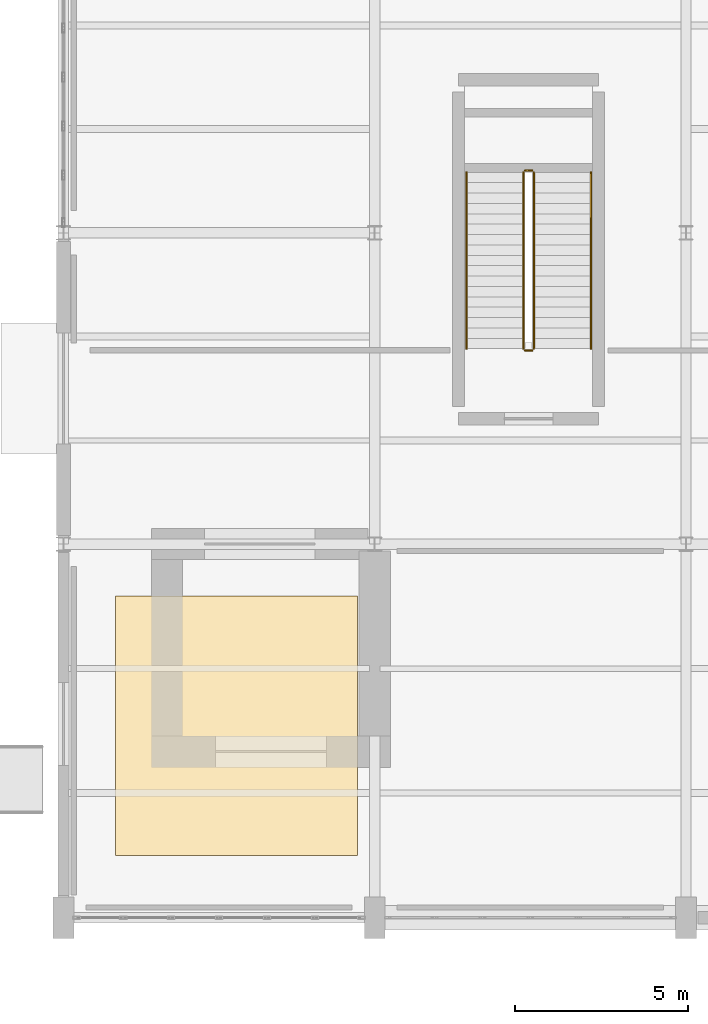
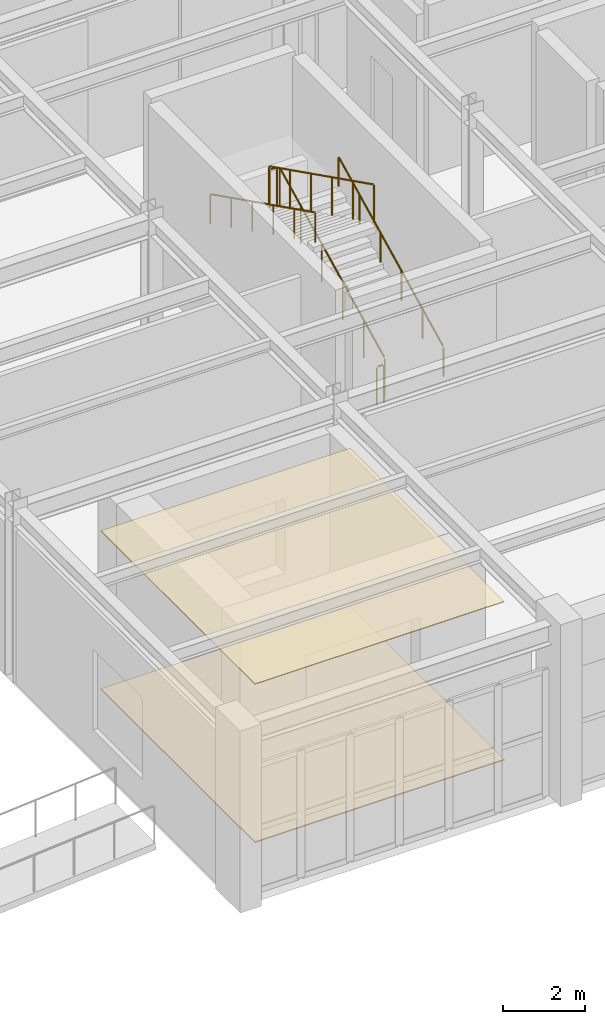
# One storey, part 129 of 140: 6 railings, 2 coverings.
"""IFC4 building model written with IfcOpenShell, lengths in metres."""

from ifc_helpers import new_model, si_unit, direction, frame, origin, origin_2d, place, context, subcontext, project, spatial, polyline, circle, outline, extrude, material, layer, layer_set, type_object, element, save


model = new_model("IFC4")

# Units and contexts
model_context = context("Model", 3, precision=1e-05, world=origin(), true_north=direction((0.0, 1.0)))
body_context = subcontext(model_context, "Body", "Model", "MODEL_VIEW")
ifc_project = project(units=[si_unit("LENGTHUNIT", "METRE"), si_unit("AREAUNIT", "SQUARE_METRE"), si_unit("VOLUMEUNIT", "CUBIC_METRE"), si_unit("PLANEANGLEUNIT", "RADIAN"), si_unit("MASSUNIT", "GRAM", prefix="KILO")], contexts=[model_context])

# Site, building, storey
site_placement = place(None, origin())
site = spatial("IfcSite", under=ifc_project, at=site_placement, CompositionType="ELEMENT")
building_placement = place(site_placement, origin())
building = spatial("IfcBuilding", under=site, at=building_placement, Name="Haizhuo Lancet Aquarium", CompositionType="ELEMENT")
storey_placement = place(building_placement, origin())
storey = spatial("IfcBuildingStorey", under=building, at=storey_placement, Name="L00", CompositionType="ELEMENT", Elevation=0.0)

# Coverings
ifc_material_1 = material(Name="Acoustic Mineral Fibre Board")
ifc_layer_1 = layer(ifc_material_1, 0.02490234375)
ifc_layer_set_1 = layer_set([ifc_layer_1], Name="Acoustic Mineral Fibre Board")
covering_type_1 = type_object("IfcCoveringType", Name="COV-CLG-ACU", PredefinedType="CEILING", material=ifc_layer_set_1)
covering_1_placement = place(storey_placement, frame((0.0, 0.0, 4.695068359375)))
element("IfcCovering", 1, at=covering_1_placement, inside=storey, type_object=covering_type_1, Name="L00 V4 acoustic suspended ceiling 3", PredefinedType="CEILING", context=body_context, shape_type="SweptSolid", body=[
    extrude(outline(polyline([(-16.5, -54.0), (-9.5, -54.0), (-9.5, -46.5), (-16.5, -46.5), (-16.5, -54.0)])), origin(), (0.0, 0.0, 1.0), 0.02490234375),
])
ifc_material_2 = material(Name="Shandong Grey Limestone Ashlar", Category="masonry")
ifc_layer_2 = layer(ifc_material_2, 0.030029296875)
ifc_layer_set_2 = layer_set([ifc_layer_2], Name="Shandong Grey Limestone Ashlar")
covering_type_2 = type_object("IfcCoveringType", Name="COV-FLR-STN", PredefinedType="FLOORING", material=ifc_layer_set_2)
covering_2_placement = place(storey_placement, origin())
element("IfcCovering", 2, at=covering_2_placement, inside=storey, type_object=covering_type_2, Name="L00 V4 limestone floor finish 3", PredefinedType="FLOORING", context=body_context, shape_type="SweptSolid", body=[
    extrude(outline(polyline([(-16.5, -54.0), (-9.5, -54.0), (-9.5, -46.5), (-16.5, -46.5), (-16.5, -54.0)])), origin(), (0.0, 0.0, 1.0), 0.030029296875),
])

# Railings
ifc_material_3 = material(Name="Steel S355", Category="steel")
railing_type_1 = type_object("IfcRailingType", Name="RL-GRD-1150", PredefinedType="GUARDRAIL", material=ifc_material_3)
railing_1_placement = place(storey_placement, frame((-4.39990234375, -39.35009765625, 0.14990234375)))
element("IfcRailing", 3, at=railing_1_placement, inside=storey, type_object=railing_type_1, Name="L00 ST-06 stair guard 1", PredefinedType="GUARDRAIL", context=body_context, shape_type="SweptSolid", body=[
    extrude(circle(Radius=0.02392578125, at=origin_2d()), frame((0.0, 0.02685546875, 1.13916015625), z_axis=(0.0, 0.894427191, 0.4472135955), x_axis=(-1.0, 0.0, 0.0)), (0.0, 0.0, 1.0), 5.64208984375),
    extrude(circle(Radius=0.02099609375, at=origin_2d()), origin(), (0.0, 0.0, 1.0), 1.097900390625),
    extrude(circle(Radius=0.02099609375, at=origin_2d()), frame((0.0, 1.02001953125, 0.510009765625)), (0.0, 0.0, 1.0), 1.097900390625),
    extrude(circle(Radius=0.02099609375, at=origin_2d()), frame((0.0, 2.0400390625, 1.02001953125)), (0.0, 0.0, 1.0), 1.097900390625),
    extrude(circle(Radius=0.02099609375, at=origin_2d()), frame((0.0, 3.06005859375, 1.530029296875)), (0.0, 0.0, 1.0), 1.097900390625),
    extrude(circle(Radius=0.02099609375, at=origin_2d()), frame((0.0, 4.080078125, 2.0400390625)), (0.0, 0.0, 1.0), 1.097900390625),
    extrude(circle(Radius=0.02099609375, at=origin_2d()), frame((0.0, 5.10009765625, 2.550048828125)), (0.0, 0.0, 1.0), 1.097900390625),
])
railing_2_placement = place(storey_placement, frame((-4.449951171875, -34.199951171875, 2.699951171875)))
element("IfcRailing", 4, at=railing_2_placement, inside=storey, type_object=railing_type_1, Name="L00 ST-06 stair guard 2", PredefinedType="GUARDRAIL", context=body_context, shape_type="SweptSolid", body=[
    extrude(circle(Radius=0.02392578125, at=origin_2d()), frame((-0.030029296875, 0.0, 1.1259765625), z_axis=(-1.0, 0.0, 0.0), x_axis=(0.0, -1.0, 0.0)), (0.0, 0.0, 1.0), 0.139892578125),
    extrude(circle(Radius=0.02099609375, at=origin_2d()), origin(), (0.0, 0.0, 1.0), 1.097900390625),
    extrude(circle(Radius=0.02099609375, at=origin_2d()), frame((-0.199951171875, 0.0, 0.0)), (0.0, 0.0, 1.0), 1.097900390625),
])
railing_3_placement = place(storey_placement, frame((-4.699951171875, -34.25, 2.85009765625)))
element("IfcRailing", 5, at=railing_3_placement, inside=storey, type_object=railing_type_1, Name="L00 ST-06 stair guard 3", PredefinedType="GUARDRAIL", context=body_context, shape_type="SweptSolid", body=[
    extrude(circle(Radius=0.02392578125, at=origin_2d()), frame((0.0, -0.02685546875, 1.13916015625), z_axis=(0.0, -0.89444431709, 0.44717934168), x_axis=(1.0, 0.0, 0.0)), (0.0, 0.0, 1.0), 5.64208984375),
    extrude(circle(Radius=0.02099609375, at=origin_2d()), origin(), (0.0, 0.0, 1.0), 1.097900390625),
    extrude(circle(Radius=0.02099609375, at=origin_2d()), frame((0.0, -1.02001953125, 0.510009765625)), (0.0, 0.0, 1.0), 1.097900390625),
    extrude(circle(Radius=0.02099609375, at=origin_2d()), frame((0.0, -2.0400390625, 1.02001953125)), (0.0, 0.0, 1.0), 1.097900390625),
    extrude(circle(Radius=0.02099609375, at=origin_2d()), frame((0.0, -3.06005859375, 1.52978515625)), (0.0, 0.0, 1.0), 1.097900390625),
    extrude(circle(Radius=0.02099609375, at=origin_2d()), frame((0.0, -4.080078125, 2.039794921875)), (0.0, 0.0, 1.0), 1.097900390625),
    extrude(circle(Radius=0.02099609375, at=origin_2d()), frame((0.0, -5.10009765625, 2.5498046875)), (0.0, 0.0, 1.0), 1.097900390625),
])
railing_4_placement = place(storey_placement, frame((-4.449951171875, -39.39990234375, 0.0)))
element("IfcRailing", 6, at=railing_4_placement, inside=storey, type_object=railing_type_1, Name="L00 ST-06 stair guard 4", PredefinedType="GUARDRAIL", context=body_context, shape_type="SweptSolid", body=[
    extrude(circle(Radius=0.02392578125, at=origin_2d()), frame((-0.030029296875, 0.0, 1.1259765625), z_axis=(-1.0, 0.0, 0.0), x_axis=(0.0, -1.0, 0.0)), (0.0, 0.0, 1.0), 0.139892578125),
    extrude(circle(Radius=0.02099609375, at=origin_2d()), origin(), (0.0, 0.0, 1.0), 1.097900390625),
    extrude(circle(Radius=0.02099609375, at=origin_2d()), frame((-0.199951171875, 0.0, 0.0)), (0.0, 0.0, 1.0), 1.097900390625),
])
railing_type_2 = type_object("IfcRailingType", Name="RL-HDR-900", PredefinedType="HANDRAIL", material=ifc_material_3)
railing_5_placement = place(storey_placement, frame((-2.75, -39.35009765625, 0.14990234375)))
element("IfcRailing", 7, at=railing_5_placement, inside=storey, type_object=railing_type_2, Name="L00 ST-06 pitch handrail 1", PredefinedType="HANDRAIL", context=body_context, shape_type="SweptSolid", body=[
    extrude(circle(Radius=0.02392578125, at=origin_2d()), frame((0.0, 0.02685546875, 0.88916015625), z_axis=(0.0, 0.894427191, 0.4472135955), x_axis=(-1.0, 0.0, 0.0)), (0.0, 0.0, 1.0), 5.64208984375),
    extrude(circle(Radius=0.02099609375, at=origin_2d()), origin(), (0.0, 0.0, 1.0), 0.847900390625),
    extrude(circle(Radius=0.02099609375, at=origin_2d()), frame((0.0, 1.02001953125, 0.510009765625)), (0.0, 0.0, 1.0), 0.847900390625),
    extrude(circle(Radius=0.02099609375, at=origin_2d()), frame((0.0, 2.0400390625, 1.02001953125)), (0.0, 0.0, 1.0), 0.847900390625),
    extrude(circle(Radius=0.02099609375, at=origin_2d()), frame((0.0, 3.06005859375, 1.530029296875)), (0.0, 0.0, 1.0), 0.847900390625),
    extrude(circle(Radius=0.02099609375, at=origin_2d()), frame((0.0, 4.080078125, 2.0400390625)), (0.0, 0.0, 1.0), 0.847900390625),
    extrude(circle(Radius=0.02099609375, at=origin_2d()), frame((0.0, 5.10009765625, 2.550048828125)), (0.0, 0.0, 1.0), 0.847900390625),
])
railing_6_placement = place(storey_placement, frame((-6.35009765625, -34.25, 2.85009765625)))
element("IfcRailing", 8, at=railing_6_placement, inside=storey, type_object=railing_type_2, Name="L00 ST-06 pitch handrail 2", PredefinedType="HANDRAIL", context=body_context, shape_type="SweptSolid", body=[
    extrude(circle(Radius=0.02392578125, at=origin_2d()), frame((0.0, -0.02685546875, 0.88916015625), z_axis=(0.0, -0.89444431709, 0.44717934168), x_axis=(1.0, 0.0, 0.0)), (0.0, 0.0, 1.0), 5.64208984375),
    extrude(circle(Radius=0.02099609375, at=origin_2d()), origin(), (0.0, 0.0, 1.0), 0.847900390625),
    extrude(circle(Radius=0.02099609375, at=origin_2d()), frame((0.0, -1.02001953125, 0.510009765625)), (0.0, 0.0, 1.0), 0.847900390625),
    extrude(circle(Radius=0.02099609375, at=origin_2d()), frame((0.0, -2.0400390625, 1.02001953125)), (0.0, 0.0, 1.0), 0.847900390625),
    extrude(circle(Radius=0.02099609375, at=origin_2d()), frame((0.0, -3.06005859375, 1.52978515625)), (0.0, 0.0, 1.0), 0.847900390625),
    extrude(circle(Radius=0.02099609375, at=origin_2d()), frame((0.0, -4.080078125, 2.039794921875)), (0.0, 0.0, 1.0), 0.847900390625),
    extrude(circle(Radius=0.02099609375, at=origin_2d()), frame((0.0, -5.10009765625, 2.5498046875)), (0.0, 0.0, 1.0), 0.847900390625),
])

save(model, "model.ifc")
